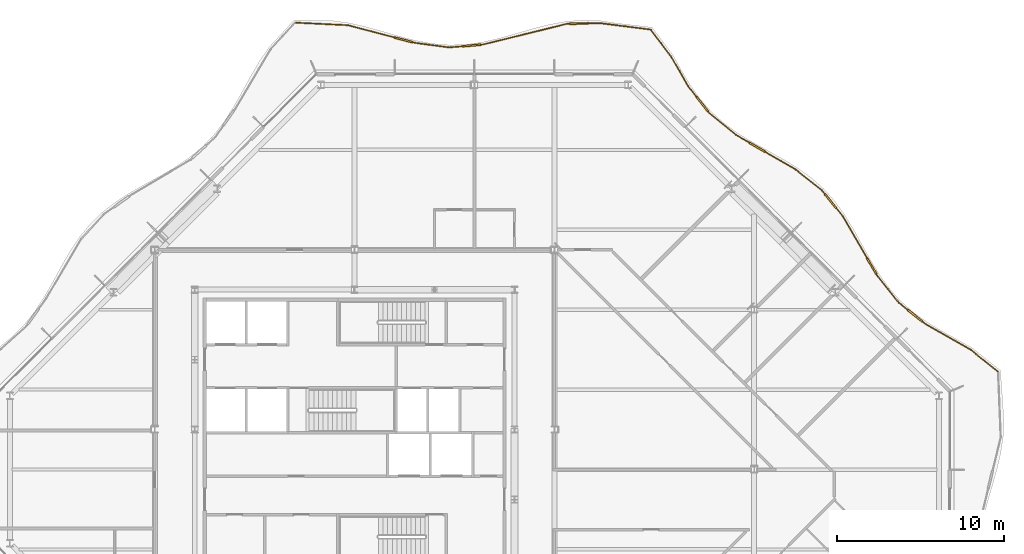
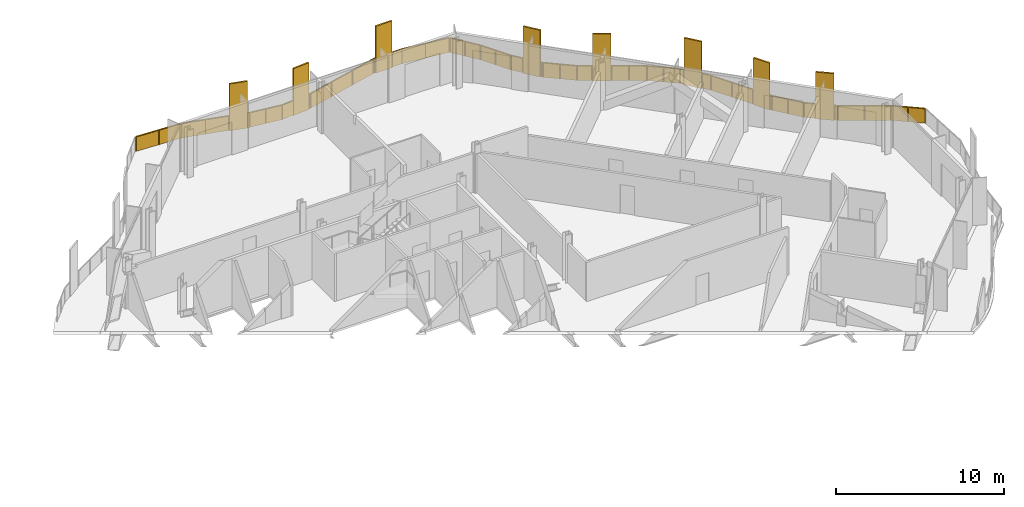
# One storey, part 17 of 17: 2 railings.
"""IFC4 building model written with IfcOpenShell, lengths in metres."""

from ifc_helpers import new_model, si_unit, direction, frame, origin, origin_2d, place, context, subcontext, project, spatial, polyline, rectangle, outline, extrude, material, type_object, element, save


model = new_model("IFC4")

# Units and contexts
model_context = context("Model", 3, precision=1e-05, world=origin(), true_north=direction((0.0, 1.0)))
body_context = subcontext(model_context, "Body", "Model", "MODEL_VIEW")
ifc_project = project(units=[si_unit("LENGTHUNIT", "METRE"), si_unit("AREAUNIT", "SQUARE_METRE"), si_unit("VOLUMEUNIT", "CUBIC_METRE"), si_unit("PLANEANGLEUNIT", "RADIAN"), si_unit("MASSUNIT", "GRAM", prefix="KILO")], contexts=[model_context])

# Site, building, storey
site_placement = place(None, origin())
site = spatial("IfcSite", under=ifc_project, at=site_placement, CompositionType="ELEMENT")
building_placement = place(site_placement, origin())
building = spatial("IfcBuilding", under=site, at=building_placement, Name="Cairn Pilgrim Tower", CompositionType="ELEMENT")
storey_placement = place(building_placement, frame((0.0, 0.0, 217.800048828125)))
storey = spatial("IfcBuildingStorey", under=building, at=storey_placement, Name="L55", CompositionType="ELEMENT", Elevation=217.800048828125)

# Railings
ifc_material = material(Name="Bronze anodised aluminium rail, posts and fin screens with laminated glass infill", Category="aluminium")
railing_type = type_object("IfcRailingType", Name="BALCONY GUARD WITH FIN SCREENS", PredefinedType="GUARDRAIL", material=ifc_material)
railing_1_placement = place(storey_placement, frame((45.8427734375, 5.88134765625, 0.0)))
element("IfcRailing", 1, at=railing_1_placement, inside=storey, type_object=railing_type, Name="Balcony guard BGF-4 with fin screens", PredefinedType="GUARDRAIL", context=body_context, shape_type="SweptSolid", body=[
    extrude(rectangle(XDim=0.050048828125, YDim=0.050048828125, at=origin_2d()), frame((0.0, 0.0, 1.0751953125), z_axis=(-0.781346220127, 0.624097816286, 0.0), x_axis=(-0.624097816286, -0.781346220127, 0.0)), (0.0, 0.0, 1.0), 2.094482421875),
    extrude(rectangle(XDim=0.050048828125, YDim=0.050048828125, at=origin_2d()), frame((-1.636474609375, 1.30712890625, 1.0751953125), z_axis=(-0.868344011313, 0.495962375606, 0.0), x_axis=(-0.495962375606, -0.868344011313, 0.0)), (0.0, 0.0, 1.0), 3.127197265625),
    extrude(rectangle(XDim=1.10009765625, YDim=0.110107421875, at=origin_2d()), frame((-4.976806640625, 3.357177734375, 0.0), z_axis=(0.0, 0.0, 1.0), x_axis=(-0.781251676118, 0.62421616333, 0.0)), (0.0, 0.0, 1.0), 3.39990234375),
    extrude(rectangle(XDim=0.050048828125, YDim=0.050048828125, at=origin_2d()), frame((-4.35205078125, 2.858154296875, 1.0751953125), z_axis=(-0.781251676118, 0.62421616333, 0.0), x_axis=(-0.62421616333, -0.781251676118, 0.0)), (0.0, 0.0, 1.0), 0.24951171875),
    extrude(rectangle(XDim=0.050048828125, YDim=0.050048828125, at=origin_2d()), frame((-5.406494140625, 3.70068359375, 1.0751953125), z_axis=(-0.781251676118, 0.62421616333, 0.0), x_axis=(-0.62421616333, -0.781251676118, 0.0)), (0.0, 0.0, 1.0), 0.70263671875),
    extrude(rectangle(XDim=0.050048828125, YDim=0.050048828125, at=origin_2d()), frame((-5.955322265625, 4.13916015625, 1.0751953125), z_axis=(-0.626348485432, 0.779543183408, 0.0), x_axis=(-0.779543183408, -0.626348485432, 0.0)), (0.0, 0.0, 1.0), 2.051025390625),
    extrude(rectangle(XDim=1.10009765625, YDim=0.110107421875, at=origin_2d()), frame((-7.591796875, 6.343505859375, 0.0), z_axis=(0.0, 0.0, 1.0), x_axis=(-0.502513380926, 0.864569431561, 0.0)), (0.0, 0.0, 1.0), 3.39990234375),
    extrude(rectangle(XDim=0.050048828125, YDim=0.050048828125, at=origin_2d()), frame((-7.239990234375, 5.738037109375, 1.0751953125), z_axis=(-0.502513380926, 0.864569431561, 0.0), x_axis=(-0.864569431561, -0.502513380926, 0.0)), (0.0, 0.0, 1.0), 0.150146484375),
    extrude(rectangle(XDim=0.050048828125, YDim=0.050048828125, at=origin_2d()), frame((-7.8681640625, 6.81884765625, 1.0751953125), z_axis=(-0.502513380926, 0.864569431561, 0.0), x_axis=(-0.864569431561, -0.502513380926, 0.0)), (0.0, 0.0, 1.0), 2.910888671875),
    extrude(rectangle(XDim=1.10009765625, YDim=0.110107421875, at=origin_2d()), frame((-10.06298828125, 10.2431640625, 0.0), z_axis=(0.0, 0.0, 1.0), x_axis=(-0.627824211501, 0.778355162797, 0.0)), (0.0, 0.0, 1.0), 3.39990234375),
    extrude(rectangle(XDim=0.050048828125, YDim=0.050048828125, at=origin_2d()), frame((-9.3310546875, 9.335693359375, 1.0751953125), z_axis=(-0.627824211501, 0.778355162797, 0.0), x_axis=(-0.778355162797, -0.627824211501, 0.0)), (0.0, 0.0, 1.0), 0.61572265625),
    extrude(rectangle(XDim=0.050048828125, YDim=0.050048828125, at=origin_2d()), frame((-10.408203125, 10.671142578125, 1.0751953125), z_axis=(-0.627824211501, 0.778355162797, 0.0), x_axis=(-0.778355162797, -0.627824211501, 0.0)), (0.0, 0.0, 1.0), 0.279052734375),
    extrude(rectangle(XDim=0.050048828125, YDim=0.050048828125, at=origin_2d()), frame((-10.58349609375, 10.888427734375, 1.0751953125), z_axis=(-0.782429083049, 0.622739696823, 0.0), x_axis=(-0.622739696823, -0.782429083049, 0.0)), (0.0, 0.0, 1.0), 1.99658203125),
    extrude(rectangle(XDim=1.10009765625, YDim=0.110107421875, at=origin_2d()), frame((-14.457275390625, 13.475341796875, 0.0), z_axis=(0.0, 0.0, 1.0), x_axis=(-0.864562899529, 0.502524619056, 0.0)), (0.0, 0.0, 1.0), 3.39990234375),
    extrude(rectangle(XDim=0.050048828125, YDim=0.050048828125, at=origin_2d()), frame((-12.145751953125, 12.1318359375, 1.0751953125), z_axis=(-0.864562899529, 0.502524619056, 0.0), x_axis=(-0.502524619056, -0.864562899529, 0.0)), (0.0, 0.0, 1.0), 2.12353515625),
    extrude(rectangle(XDim=0.050048828125, YDim=0.050048828125, at=origin_2d()), frame((-14.9326171875, 13.751708984375, 1.0751953125), z_axis=(-0.864562899529, 0.502524619056, 0.0), x_axis=(-0.502524619056, -0.864562899529, 0.0)), (0.0, 0.0, 1.0), 0.9384765625),
    extrude(rectangle(XDim=0.050048828125, YDim=0.050048828125, at=origin_2d()), frame((-15.744140625, 14.223388671875, 1.0751953125), z_axis=(-0.775414204374, 0.631452937008, 0.0), x_axis=(-0.631452937008, -0.775414204374, 0.0)), (0.0, 0.0, 1.0), 2.05029296875),
    extrude(rectangle(XDim=1.10009765625, YDim=0.110107421875, at=origin_2d()), frame((-17.767333984375, 16.06787109375, 0.0), z_axis=(0.0, 0.0, 1.0), x_axis=(-0.619007853226, 0.785384795909, 0.0)), (0.0, 0.0, 1.0), 3.39990234375),
    extrude(rectangle(XDim=0.050048828125, YDim=0.050048828125, at=origin_2d()), frame((-17.333984375, 15.51806640625, 1.0751953125), z_axis=(-0.619007853226, 0.785384795909, 0.0), x_axis=(-0.785384795909, -0.619007853226, 0.0)), (0.0, 0.0, 1.0), 0.150146484375),
    extrude(rectangle(XDim=0.050048828125, YDim=0.050048828125, at=origin_2d()), frame((-18.10791015625, 16.5, 1.0751953125), z_axis=(-0.619007853226, 0.785384795909, 0.0), x_axis=(-0.785384795909, -0.619007853226, 0.0)), (0.0, 0.0, 1.0), 0.802734375),
    extrude(rectangle(XDim=0.050048828125, YDim=0.050048828125, at=origin_2d()), frame((-18.604736328125, 17.13037109375, 1.0751953125), z_axis=(-0.499151055984, 0.866514987354, 0.0), x_axis=(-0.866514987354, -0.499151055984, 0.0)), (0.0, 0.0, 1.0), 2.083984375),
    extrude(rectangle(XDim=0.050048828125, YDim=0.050048828125, at=origin_2d()), frame((-19.64501953125, 18.936279296875, 1.0751953125), z_axis=(-0.603569235365, 0.79731059075, 0.0), x_axis=(-0.79731059075, -0.603569235365, 0.0)), (0.0, 0.0, 1.0), 1.955810546875),
    extrude(rectangle(XDim=0.050048828125, YDim=0.050048828125, at=origin_2d()), origin(), (0.0, 0.0, 1.0), 1.050048828125),
    extrude(rectangle(XDim=0.050048828125, YDim=0.050048828125, at=origin_2d()), frame((-0.818359375, 0.653564453125, 0.0)), (0.0, 0.0, 1.0), 1.050048828125),
    extrude(rectangle(XDim=0.050048828125, YDim=0.050048828125, at=origin_2d()), frame((-1.636474609375, 1.30712890625, 0.0)), (0.0, 0.0, 1.0), 1.050048828125),
    extrude(rectangle(XDim=0.050048828125, YDim=0.050048828125, at=origin_2d()), frame((-2.994140625, 2.08251953125, 0.0)), (0.0, 0.0, 1.0), 1.050048828125),
    extrude(rectangle(XDim=0.050048828125, YDim=0.050048828125, at=origin_2d()), frame((-4.35205078125, 2.858154296875, 0.0)), (0.0, 0.0, 1.0), 1.050048828125),
    extrude(rectangle(XDim=0.050048828125, YDim=0.050048828125, at=origin_2d()), frame((-4.527587890625, 2.998291015625, 0.0)), (0.0, 0.0, 1.0), 1.050048828125),
    extrude(rectangle(XDim=0.050048828125, YDim=0.050048828125, at=origin_2d()), frame((-5.426025390625, 3.71630859375, 0.0)), (0.0, 0.0, 1.0), 1.050048828125),
    extrude(rectangle(XDim=0.050048828125, YDim=0.050048828125, at=origin_2d()), frame((-5.955322265625, 4.13916015625, 0.0)), (0.0, 0.0, 1.0), 1.050048828125),
    extrude(rectangle(XDim=0.050048828125, YDim=0.050048828125, at=origin_2d()), frame((-6.59765625, 4.9384765625, 0.0)), (0.0, 0.0, 1.0), 1.050048828125),
    extrude(rectangle(XDim=0.050048828125, YDim=0.050048828125, at=origin_2d()), frame((-7.239990234375, 5.738037109375, 0.0)), (0.0, 0.0, 1.0), 1.050048828125),
    extrude(rectangle(XDim=0.050048828125, YDim=0.050048828125, at=origin_2d()), frame((-7.302978515625, 5.84619140625, 0.0)), (0.0, 0.0, 1.0), 1.050048828125),
    extrude(rectangle(XDim=0.050048828125, YDim=0.050048828125, at=origin_2d()), frame((-7.880859375, 6.840576171875, 0.0)), (0.0, 0.0, 1.0), 1.050048828125),
    extrude(rectangle(XDim=0.050048828125, YDim=0.050048828125, at=origin_2d()), frame((-8.60595703125, 8.088134765625, 0.0)), (0.0, 0.0, 1.0), 1.050048828125),
    extrude(rectangle(XDim=0.050048828125, YDim=0.050048828125, at=origin_2d()), frame((-9.3310546875, 9.335693359375, 0.0)), (0.0, 0.0, 1.0), 1.050048828125),
    extrude(rectangle(XDim=0.050048828125, YDim=0.050048828125, at=origin_2d()), frame((-9.701904296875, 9.79541015625, 0.0)), (0.0, 0.0, 1.0), 1.050048828125),
    extrude(rectangle(XDim=0.050048828125, YDim=0.050048828125, at=origin_2d()), frame((-10.423828125, 10.690673828125, 0.0)), (0.0, 0.0, 1.0), 1.050048828125),
    extrude(rectangle(XDim=0.050048828125, YDim=0.050048828125, at=origin_2d()), frame((-10.58349609375, 10.888427734375, 0.0)), (0.0, 0.0, 1.0), 1.050048828125),
    extrude(rectangle(XDim=0.050048828125, YDim=0.050048828125, at=origin_2d()), frame((-11.36474609375, 11.51025390625, 0.0)), (0.0, 0.0, 1.0), 1.050048828125),
    extrude(rectangle(XDim=0.050048828125, YDim=0.050048828125, at=origin_2d()), frame((-12.145751953125, 12.1318359375, 0.0)), (0.0, 0.0, 1.0), 1.050048828125),
    extrude(rectangle(XDim=0.050048828125, YDim=0.050048828125, at=origin_2d()), frame((-13.052978515625, 12.6591796875, 0.0)), (0.0, 0.0, 1.0), 1.050048828125),
    extrude(rectangle(XDim=0.050048828125, YDim=0.050048828125, at=origin_2d()), frame((-13.9599609375, 13.1865234375, 0.0)), (0.0, 0.0, 1.0), 1.050048828125),
    extrude(rectangle(XDim=0.050048828125, YDim=0.050048828125, at=origin_2d()), frame((-14.954345703125, 13.764404296875, 0.0)), (0.0, 0.0, 1.0), 1.050048828125),
    extrude(rectangle(XDim=0.050048828125, YDim=0.050048828125, at=origin_2d()), frame((-15.744140625, 14.223388671875, 0.0)), (0.0, 0.0, 1.0), 1.050048828125),
    extrude(rectangle(XDim=0.050048828125, YDim=0.050048828125, at=origin_2d()), frame((-16.5390625, 14.87060546875, 0.0)), (0.0, 0.0, 1.0), 1.050048828125),
    extrude(rectangle(XDim=0.050048828125, YDim=0.050048828125, at=origin_2d()), frame((-17.333984375, 15.51806640625, 0.0)), (0.0, 0.0, 1.0), 1.050048828125),
    extrude(rectangle(XDim=0.050048828125, YDim=0.050048828125, at=origin_2d()), frame((-17.411376953125, 15.616455078125, 0.0)), (0.0, 0.0, 1.0), 1.050048828125),
    extrude(rectangle(XDim=0.050048828125, YDim=0.050048828125, at=origin_2d()), frame((-18.123291015625, 16.51953125, 0.0)), (0.0, 0.0, 1.0), 1.050048828125),
    extrude(rectangle(XDim=0.050048828125, YDim=0.050048828125, at=origin_2d()), frame((-18.604736328125, 17.13037109375, 0.0)), (0.0, 0.0, 1.0), 1.050048828125),
    extrude(rectangle(XDim=0.050048828125, YDim=0.050048828125, at=origin_2d()), frame((-19.125, 18.033203125, 0.0)), (0.0, 0.0, 1.0), 1.050048828125),
    extrude(rectangle(XDim=0.050048828125, YDim=0.050048828125, at=origin_2d()), frame((-19.64501953125, 18.936279296875, 0.0)), (0.0, 0.0, 1.0), 1.050048828125),
    extrude(rectangle(XDim=0.050048828125, YDim=0.050048828125, at=origin_2d()), frame((-20.2353515625, 19.7158203125, 0.0)), (0.0, 0.0, 1.0), 1.050048828125),
    extrude(rectangle(XDim=0.050048828125, YDim=0.050048828125, at=origin_2d()), frame((-20.825439453125, 20.49560546875, 0.0)), (0.0, 0.0, 1.0), 1.050048828125),
    extrude(outline(polyline([(0.02490234375, 0.0), (1.022216796875, 0.0), (1.022216796875, 1.050048828125), (0.02490234375, 1.050048828125), (0.02490234375, 0.0)])), frame((-0.003662109375, -0.004638671875, 0.0), z_axis=(0.624097816286, 0.781346220127, 0.0), x_axis=(-0.781346220127, 0.624097816286, 0.0)), (0.0, 0.0, 1.0), 0.011962890625),
    extrude(outline(polyline([(0.02490234375, 0.0), (1.022216796875, 0.0), (1.022216796875, 1.050048828125), (0.02490234375, 1.050048828125), (0.02490234375, 0.0)])), frame((-0.822021484375, 0.64892578125, 0.0), z_axis=(0.624097816286, 0.781346220127, 0.0), x_axis=(-0.781346220127, 0.624097816286, 0.0)), (0.0, 0.0, 1.0), 0.011962890625),
    extrude(outline(polyline([(0.02490234375, 0.0), (1.53857421875, 0.0), (1.53857421875, 1.050048828125), (0.02490234375, 1.050048828125), (0.02490234375, 0.0)])), frame((-1.639404296875, 1.302001953125, 0.0), z_axis=(0.495962375606, 0.868344011313, 0.0), x_axis=(-0.868344011313, 0.495962375606, 0.0)), (0.0, 0.0, 1.0), 0.011962890625),
    extrude(outline(polyline([(0.02490234375, 0.0), (1.53857421875, 0.0), (1.53857421875, 1.050048828125), (0.02490234375, 1.050048828125), (0.02490234375, 0.0)])), frame((-2.997314453125, 2.077392578125, 0.0), z_axis=(0.495962375606, 0.868344011313, 0.0), x_axis=(-0.868344011313, 0.495962375606, 0.0)), (0.0, 0.0, 1.0), 0.011962890625),
    extrude(outline(polyline([(0.02490234375, 0.0), (0.199462890625, 0.0), (0.199462890625, 1.050048828125), (0.02490234375, 1.050048828125), (0.02490234375, 0.0)])), frame((-4.355712890625, 2.853515625, 0.0), z_axis=(0.62421616333, 0.781251676118, 0.0), x_axis=(-0.781251676118, 0.62421616333, 0.0)), (0.0, 0.0, 1.0), 0.011962890625),
    extrude(outline(polyline([(0.02490234375, 0.0), (0.652587890625, 0.0), (0.652587890625, 1.050048828125), (0.02490234375, 1.050048828125), (0.02490234375, 0.0)])), frame((-5.4296875, 3.71142578125, 0.0), z_axis=(0.62421616333, 0.781251676118, 0.0), x_axis=(-0.781251676118, 0.62421616333, 0.0)), (0.0, 0.0, 1.0), 0.011962890625),
    extrude(outline(polyline([(0.02490234375, 0.0), (1.00048828125, 0.0), (1.00048828125, 1.050048828125), (0.02490234375, 1.050048828125), (0.02490234375, 0.0)])), frame((-5.9599609375, 4.135498046875, 0.0), z_axis=(0.779543183408, 0.626348485432, 0.0), x_axis=(-0.626348485432, 0.779543183408, 0.0)), (0.0, 0.0, 1.0), 0.011962890625),
    extrude(outline(polyline([(0.02490234375, 0.0), (1.00048828125, 0.0), (1.00048828125, 1.050048828125), (0.02490234375, 1.050048828125), (0.02490234375, 0.0)])), frame((-6.602294921875, 4.934814453125, 0.0), z_axis=(0.779543183408, 0.626348485432, 0.0), x_axis=(-0.626348485432, 0.779543183408, 0.0)), (0.0, 0.0, 1.0), 0.011962890625),
    extrude(outline(polyline([(0.02490234375, 0.0), (0.10009765625, 0.0), (0.10009765625, 1.050048828125), (0.02490234375, 1.050048828125), (0.02490234375, 0.0)])), frame((-7.2451171875, 5.735107421875, 0.0), z_axis=(0.864569431561, 0.502513380926, 0.0), x_axis=(-0.502513380926, 0.864569431561, 0.0)), (0.0, 0.0, 1.0), 0.011962890625),
    extrude(outline(polyline([(0.02490234375, 0.0), (1.41796875, 0.0), (1.41796875, 1.050048828125), (0.02490234375, 1.050048828125), (0.02490234375, 0.0)])), frame((-7.885986328125, 6.837646484375, 0.0), z_axis=(0.864569431561, 0.502513380926, 0.0), x_axis=(-0.502513380926, 0.864569431561, 0.0)), (0.0, 0.0, 1.0), 0.011962890625),
    extrude(outline(polyline([(0.02490234375, 0.0), (1.41796875, 0.0), (1.41796875, 1.050048828125), (0.02490234375, 1.050048828125), (0.02490234375, 0.0)])), frame((-8.611083984375, 8.085205078125, 0.0), z_axis=(0.864569431561, 0.502513380926, 0.0), x_axis=(-0.502513380926, 0.864569431561, 0.0)), (0.0, 0.0, 1.0), 0.011962890625),
    extrude(outline(polyline([(0.02490234375, 0.0), (0.565673828125, 0.0), (0.565673828125, 1.050048828125), (0.02490234375, 1.050048828125), (0.02490234375, 0.0)])), frame((-9.335693359375, 9.33203125, 0.0), z_axis=(0.778355162797, 0.627824211501, 0.0), x_axis=(-0.627824211501, 0.778355162797, 0.0)), (0.0, 0.0, 1.0), 0.011962890625),
    extrude(outline(polyline([(0.02490234375, 0.0), (0.22900390625, 0.0), (0.22900390625, 1.050048828125), (0.02490234375, 1.050048828125), (0.02490234375, 0.0)])), frame((-10.4287109375, 10.686767578125, 0.0), z_axis=(0.778355162797, 0.627824211501, 0.0), x_axis=(-0.627824211501, 0.778355162797, 0.0)), (0.0, 0.0, 1.0), 0.011962890625),
    extrude(outline(polyline([(0.02490234375, 0.0), (0.973388671875, 0.0), (0.973388671875, 1.050048828125), (0.02490234375, 1.050048828125), (0.02490234375, 0.0)])), frame((-10.587158203125, 10.8837890625, 0.0), z_axis=(0.622739696823, 0.782429083049, 0.0), x_axis=(-0.782429083049, 0.622739696823, 0.0)), (0.0, 0.0, 1.0), 0.011962890625),
    extrude(outline(polyline([(0.02490234375, 0.0), (0.973388671875, 0.0), (0.973388671875, 1.050048828125), (0.02490234375, 1.050048828125), (0.02490234375, 0.0)])), frame((-11.368408203125, 11.50537109375, 0.0), z_axis=(0.622739696823, 0.782429083049, 0.0), x_axis=(-0.782429083049, 0.622739696823, 0.0)), (0.0, 0.0, 1.0), 0.011962890625),
    extrude(outline(polyline([(0.02490234375, 0.0), (1.024169921875, 0.0), (1.024169921875, 1.050048828125), (0.02490234375, 1.050048828125), (0.02490234375, 0.0)])), frame((-12.148681640625, 12.126708984375, 0.0), z_axis=(0.502524619056, 0.864562899529, 0.0), x_axis=(-0.864562899529, 0.502524619056, 0.0)), (0.0, 0.0, 1.0), 0.011962890625),
    extrude(outline(polyline([(0.02490234375, 0.0), (1.024169921875, 0.0), (1.024169921875, 1.050048828125), (0.02490234375, 1.050048828125), (0.02490234375, 0.0)])), frame((-13.055908203125, 12.654052734375, 0.0), z_axis=(0.502524619056, 0.864562899529, 0.0), x_axis=(-0.864562899529, 0.502524619056, 0.0)), (0.0, 0.0, 1.0), 0.011962890625),
    extrude(outline(polyline([(0.02490234375, 0.0), (0.888427734375, 0.0), (0.888427734375, 1.050048828125), (0.02490234375, 1.050048828125), (0.02490234375, 0.0)])), frame((-14.957275390625, 13.75927734375, 0.0), z_axis=(0.502524619056, 0.864562899529, 0.0), x_axis=(-0.864562899529, 0.502524619056, 0.0)), (0.0, 0.0, 1.0), 0.011962890625),
    extrude(outline(polyline([(0.02490234375, 0.0), (1.000244140625, 0.0), (1.000244140625, 1.050048828125), (0.02490234375, 1.050048828125), (0.02490234375, 0.0)])), frame((-15.747802734375, 14.21875, 0.0), z_axis=(0.631452937008, 0.775414204374, 0.0), x_axis=(-0.775414204374, 0.631452937008, 0.0)), (0.0, 0.0, 1.0), 0.011962890625),
    extrude(outline(polyline([(0.02490234375, 0.0), (1.000244140625, 0.0), (1.000244140625, 1.050048828125), (0.02490234375, 1.050048828125), (0.02490234375, 0.0)])), frame((-16.542724609375, 14.8662109375, 0.0), z_axis=(0.631452937008, 0.775414204374, 0.0), x_axis=(-0.775414204374, 0.631452937008, 0.0)), (0.0, 0.0, 1.0), 0.011962890625),
    extrude(outline(polyline([(0.02490234375, 0.0), (0.10009765625, 0.0), (0.10009765625, 1.050048828125), (0.02490234375, 1.050048828125), (0.02490234375, 0.0)])), frame((-17.338623046875, 15.514404296875, 0.0), z_axis=(0.785384795909, 0.619007853226, 0.0), x_axis=(-0.619007853226, 0.785384795909, 0.0)), (0.0, 0.0, 1.0), 0.011962890625),
    extrude(outline(polyline([(0.02490234375, 0.0), (0.752685546875, 0.0), (0.752685546875, 1.050048828125), (0.02490234375, 1.050048828125), (0.02490234375, 0.0)])), frame((-18.1279296875, 16.515869140625, 0.0), z_axis=(0.785384795909, 0.619007853226, 0.0), x_axis=(-0.619007853226, 0.785384795909, 0.0)), (0.0, 0.0, 1.0), 0.011962890625),
    extrude(outline(polyline([(0.02490234375, 0.0), (1.01708984375, 0.0), (1.01708984375, 1.050048828125), (0.02490234375, 1.050048828125), (0.02490234375, 0.0)])), frame((-18.60986328125, 17.12744140625, 0.0), z_axis=(0.866514987354, 0.499151055984, 0.0), x_axis=(-0.499151055984, 0.866514987354, 0.0)), (0.0, 0.0, 1.0), 0.011962890625),
    extrude(outline(polyline([(0.02490234375, 0.0), (1.01708984375, 0.0), (1.01708984375, 1.050048828125), (0.02490234375, 1.050048828125), (0.02490234375, 0.0)])), frame((-19.130126953125, 18.0302734375, 0.0), z_axis=(0.866514987354, 0.499151055984, 0.0), x_axis=(-0.499151055984, 0.866514987354, 0.0)), (0.0, 0.0, 1.0), 0.011962890625),
    extrude(outline(polyline([(0.02490234375, 0.0), (0.952880859375, 0.0), (0.952880859375, 1.050048828125), (0.02490234375, 1.050048828125), (0.02490234375, 0.0)])), frame((-19.64990234375, 18.9326171875, 0.0), z_axis=(0.79731059075, 0.603569235365, 0.0), x_axis=(-0.603569235365, 0.79731059075, 0.0)), (0.0, 0.0, 1.0), 0.011962890625),
    extrude(outline(polyline([(0.02490234375, 0.0), (0.952880859375, 0.0), (0.952880859375, 1.050048828125), (0.02490234375, 1.050048828125), (0.02490234375, 0.0)])), frame((-20.239990234375, 19.71240234375, 0.0), z_axis=(0.79731059075, 0.603569235365, 0.0), x_axis=(-0.603569235365, 0.79731059075, 0.0)), (0.0, 0.0, 1.0), 0.011962890625),
])
railing_2_placement = place(storey_placement, frame((24.981201171875, 26.424560546875, 0.0)))
element("IfcRailing", 2, at=railing_2_placement, inside=storey, type_object=railing_type, Name="Balcony guard BGF-5 with fin screens", PredefinedType="GUARDRAIL", context=body_context, shape_type="SweptSolid", body=[
    extrude(rectangle(XDim=0.050048828125, YDim=0.050048828125, at=origin_2d()), frame((0.0, 0.0, 1.0751953125), z_axis=(-0.992062270108, 0.125747573447, 0.0), x_axis=(-0.125747573447, -0.992062270108, 0.0)), (0.0, 0.0, 1.0), 3.03466796875),
    extrude(rectangle(XDim=1.10009765625, YDim=0.110107421875, at=origin_2d()), frame((-4.303955078125, 0.361572265625, 0.0), z_axis=(0.0, 0.0, 1.0), x_axis=(-0.999880952259, -0.015429883648, 0.0)), (0.0, 0.0, 1.0), 3.39990234375),
    extrude(rectangle(XDim=0.050048828125, YDim=0.050048828125, at=origin_2d()), frame((-3.010498046875, 0.381591796875, 1.0751953125), z_axis=(-0.999880952259, -0.015429883648, 0.0), x_axis=(0.015429883648, -0.999880952259, 0.0)), (0.0, 0.0, 1.0), 0.74365234375),
    extrude(rectangle(XDim=0.050048828125, YDim=0.050048828125, at=origin_2d()), frame((-4.85400390625, 0.35302734375, 1.0751953125), z_axis=(-0.999880952259, -0.015429883648, 0.0), x_axis=(0.015429883648, -0.999880952259, 0.0)), (0.0, 0.0, 1.0), 0.14990234375),
    extrude(rectangle(XDim=0.050048828125, YDim=0.050048828125, at=origin_2d()), frame((-5.00390625, 0.350830078125, 1.0751953125), z_axis=(-0.970938361719, -0.239329684208, 0.0), x_axis=(0.239329684208, -0.970938361719, 0.0)), (0.0, 0.0, 1.0), 5.198486328125),
    extrude(rectangle(XDim=1.10009765625, YDim=0.110107421875, at=origin_2d()), frame((-10.74853515625, -0.954345703125, 0.0), z_axis=(0.0, 0.0, 1.0), x_axis=(-0.996197710337, -0.087121305777, 0.0)), (0.0, 0.0, 1.0), 3.39990234375),
    extrude(rectangle(XDim=0.050048828125, YDim=0.050048828125, at=origin_2d()), frame((-10.05126953125, -0.893310546875, 1.0751953125), z_axis=(-0.996197710337, -0.087121305777, 0.0), x_axis=(0.087121305777, -0.996197710337, 0.0)), (0.0, 0.0, 1.0), 0.150146484375),
    extrude(rectangle(XDim=0.050048828125, YDim=0.050048828125, at=origin_2d()), frame((-11.296630859375, -1.002197265625, 1.0751953125), z_axis=(-0.996197710337, -0.087121305777, 0.0), x_axis=(0.087121305777, -0.996197710337, 0.0)), (0.0, 0.0, 1.0), 0.806884765625),
    extrude(rectangle(XDim=0.050048828125, YDim=0.050048828125, at=origin_2d()), frame((-12.100341796875, -1.072509765625, 1.0751953125), z_axis=(-0.991225835439, 0.132179208495, 0.0), x_axis=(-0.132179208495, -0.991225835439, 0.0)), (0.0, 0.0, 1.0), 2.06494140625),
    extrude(rectangle(XDim=1.10009765625, YDim=0.110107421875, at=origin_2d()), frame((-14.83984375, -0.6171875, 0.0), z_axis=(0.0, 0.0, 1.0), x_axis=(-0.967063927609, 0.254533612548, 0.0)), (0.0, 0.0, 1.0), 3.39990234375),
    extrude(rectangle(XDim=0.050048828125, YDim=0.050048828125, at=origin_2d()), frame((-14.147216796875, -0.799560546875, 1.0751953125), z_axis=(-0.967063927609, 0.254533612548, 0.0), x_axis=(-0.254533612548, -0.967063927609, 0.0)), (0.0, 0.0, 1.0), 0.166259765625),
    extrude(rectangle(XDim=0.050048828125, YDim=0.050048828125, at=origin_2d()), frame((-15.371826171875, -0.477294921875, 1.0751953125), z_axis=(-0.967063927609, 0.254533612548, 0.0), x_axis=(-0.254533612548, -0.967063927609, 0.0)), (0.0, 0.0, 1.0), 2.906982421875),
    extrude(rectangle(XDim=0.050048828125, YDim=0.050048828125, at=origin_2d()), frame((-18.18310546875, 0.2626953125, 1.0751953125), z_axis=(-0.998825783001, 0.048446415897, 0.0), x_axis=(-0.048446415897, -0.998825783001, 0.0)), (0.0, 0.0, 1.0), 3.119384765625),
    extrude(rectangle(XDim=0.050048828125, YDim=0.050048828125, at=origin_2d()), origin(), (0.0, 0.0, 1.0), 1.050048828125),
    extrude(rectangle(XDim=0.050048828125, YDim=0.050048828125, at=origin_2d()), frame((-1.50537109375, 0.190673828125, 0.0)), (0.0, 0.0, 1.0), 1.050048828125),
    extrude(rectangle(XDim=0.050048828125, YDim=0.050048828125, at=origin_2d()), frame((-3.010498046875, 0.381591796875, 0.0)), (0.0, 0.0, 1.0), 1.050048828125),
    extrude(rectangle(XDim=0.050048828125, YDim=0.050048828125, at=origin_2d()), frame((-3.72900390625, 0.37060546875, 0.0)), (0.0, 0.0, 1.0), 1.050048828125),
    extrude(rectangle(XDim=0.050048828125, YDim=0.050048828125, at=origin_2d()), frame((-4.87890625, 0.352783203125, 0.0)), (0.0, 0.0, 1.0), 1.050048828125),
    extrude(rectangle(XDim=0.050048828125, YDim=0.050048828125, at=origin_2d()), frame((-5.00390625, 0.350830078125, 0.0)), (0.0, 0.0, 1.0), 1.050048828125),
    extrude(rectangle(XDim=0.050048828125, YDim=0.050048828125, at=origin_2d()), frame((-6.686279296875, -0.06396484375, 0.0)), (0.0, 0.0, 1.0), 1.050048828125),
    extrude(rectangle(XDim=0.050048828125, YDim=0.050048828125, at=origin_2d()), frame((-8.368896484375, -0.478515625, 0.0)), (0.0, 0.0, 1.0), 1.050048828125),
    extrude(rectangle(XDim=0.050048828125, YDim=0.050048828125, at=origin_2d()), frame((-10.05126953125, -0.893310546875, 0.0)), (0.0, 0.0, 1.0), 1.050048828125),
    extrude(rectangle(XDim=0.050048828125, YDim=0.050048828125, at=origin_2d()), frame((-10.17578125, -0.904296875, 0.0)), (0.0, 0.0, 1.0), 1.050048828125),
    extrude(rectangle(XDim=0.050048828125, YDim=0.050048828125, at=origin_2d()), frame((-11.321533203125, -1.00439453125, 0.0)), (0.0, 0.0, 1.0), 1.050048828125),
    extrude(rectangle(XDim=0.050048828125, YDim=0.050048828125, at=origin_2d()), frame((-12.100341796875, -1.072509765625, 0.0)), (0.0, 0.0, 1.0), 1.050048828125),
    extrude(rectangle(XDim=0.050048828125, YDim=0.050048828125, at=origin_2d()), frame((-13.123779296875, -0.93603515625, 0.0)), (0.0, 0.0, 1.0), 1.050048828125),
    extrude(rectangle(XDim=0.050048828125, YDim=0.050048828125, at=origin_2d()), frame((-14.147216796875, -0.799560546875, 0.0)), (0.0, 0.0, 1.0), 1.050048828125),
    extrude(rectangle(XDim=0.050048828125, YDim=0.050048828125, at=origin_2d()), frame((-14.28369140625, -0.763671875, 0.0)), (0.0, 0.0, 1.0), 1.050048828125),
    extrude(rectangle(XDim=0.050048828125, YDim=0.050048828125, at=origin_2d()), frame((-15.39599609375, -0.470947265625, 0.0)), (0.0, 0.0, 1.0), 1.050048828125),
    extrude(rectangle(XDim=0.050048828125, YDim=0.050048828125, at=origin_2d()), frame((-16.78955078125, -0.10400390625, 0.0)), (0.0, 0.0, 1.0), 1.050048828125),
    extrude(rectangle(XDim=0.050048828125, YDim=0.050048828125, at=origin_2d()), frame((-18.18310546875, 0.2626953125, 0.0)), (0.0, 0.0, 1.0), 1.050048828125),
    extrude(rectangle(XDim=0.050048828125, YDim=0.050048828125, at=origin_2d()), frame((-19.740966796875, 0.33837890625, 0.0)), (0.0, 0.0, 1.0), 1.050048828125),
    extrude(rectangle(XDim=0.050048828125, YDim=0.050048828125, at=origin_2d()), frame((-21.298828125, 0.413818359375, 0.0)), (0.0, 0.0, 1.0), 1.050048828125),
    extrude(outline(polyline([(0.02490234375, 0.0), (1.4921875, 0.0), (1.4921875, 1.050048828125), (0.02490234375, 1.050048828125), (0.02490234375, 0.0)])), frame((-0.000732421875, -0.005859375, 0.0), z_axis=(0.125747573447, 0.992062270108, 0.0), x_axis=(-0.992062270108, 0.125747573447, 0.0)), (0.0, 0.0, 1.0), 0.011962890625),
    extrude(outline(polyline([(0.02490234375, 0.0), (1.4921875, 0.0), (1.4921875, 1.050048828125), (0.02490234375, 1.050048828125), (0.02490234375, 0.0)])), frame((-1.506103515625, 0.184814453125, 0.0), z_axis=(0.125747573447, 0.992062270108, 0.0), x_axis=(-0.992062270108, 0.125747573447, 0.0)), (0.0, 0.0, 1.0), 0.011962890625),
    extrude(outline(polyline([(0.02490234375, 0.0), (0.693603515625, 0.0), (0.693603515625, 1.050048828125), (0.02490234375, 1.050048828125), (0.02490234375, 0.0)])), frame((-3.010498046875, 0.375732421875, 0.0), z_axis=(-0.015429883648, 0.999880952259, 0.0), x_axis=(-0.999880952259, -0.015429883648, 0.0)), (0.0, 0.0, 1.0), 0.011962890625),
    extrude(outline(polyline([(0.02490234375, 0.0), (0.099853515625, 0.0), (0.099853515625, 1.050048828125), (0.02490234375, 1.050048828125), (0.02490234375, 0.0)])), frame((-4.87890625, 0.3466796875, 0.0), z_axis=(-0.015429883648, 0.999880952259, 0.0), x_axis=(-0.999880952259, -0.015429883648, 0.0)), (0.0, 0.0, 1.0), 0.011962890625),
    extrude(outline(polyline([(0.02490234375, 0.0), (1.707763671875, 0.0), (1.707763671875, 1.050048828125), (0.02490234375, 1.050048828125), (0.02490234375, 0.0)])), frame((-5.00244140625, 0.344970703125, 0.0), z_axis=(-0.239329684208, 0.970938361719, 0.0), x_axis=(-0.970938361719, -0.239329684208, 0.0)), (0.0, 0.0, 1.0), 0.011962890625),
    extrude(outline(polyline([(0.02490234375, 0.0), (1.707763671875, 0.0), (1.707763671875, 1.050048828125), (0.02490234375, 1.050048828125), (0.02490234375, 0.0)])), frame((-6.684814453125, -0.069580078125, 0.0), z_axis=(-0.239329684208, 0.970938361719, 0.0), x_axis=(-0.970938361719, -0.239329684208, 0.0)), (0.0, 0.0, 1.0), 0.011962890625),
    extrude(outline(polyline([(0.02490234375, 0.0), (1.707763671875, 0.0), (1.707763671875, 1.050048828125), (0.02490234375, 1.050048828125), (0.02490234375, 0.0)])), frame((-8.367431640625, -0.484375, 0.0), z_axis=(-0.239329684208, 0.970938361719, 0.0), x_axis=(-0.970938361719, -0.239329684208, 0.0)), (0.0, 0.0, 1.0), 0.011962890625),
    extrude(outline(polyline([(0.02490234375, 0.0), (0.10009765625, 0.0), (0.10009765625, 1.050048828125), (0.02490234375, 1.050048828125), (0.02490234375, 0.0)])), frame((-10.05078125, -0.899169921875, 0.0), z_axis=(-0.087121305777, 0.996197710337, 0.0), x_axis=(-0.996197710337, -0.087121305777, 0.0)), (0.0, 0.0, 1.0), 0.011962890625),
    extrude(outline(polyline([(0.02490234375, 0.0), (0.7568359375, 0.0), (0.7568359375, 1.050048828125), (0.02490234375, 1.050048828125), (0.02490234375, 0.0)])), frame((-11.321044921875, -1.01025390625, 0.0), z_axis=(-0.087121305777, 0.996197710337, 0.0), x_axis=(-0.996197710337, -0.087121305777, 0.0)), (0.0, 0.0, 1.0), 0.011962890625),
    extrude(outline(polyline([(0.02490234375, 0.0), (1.007568359375, 0.0), (1.007568359375, 1.050048828125), (0.02490234375, 1.050048828125), (0.02490234375, 0.0)])), frame((-12.10107421875, -1.078369140625, 0.0), z_axis=(0.132179208495, 0.991225835439, 0.0), x_axis=(-0.991225835439, 0.132179208495, 0.0)), (0.0, 0.0, 1.0), 0.011962890625),
    extrude(outline(polyline([(0.02490234375, 0.0), (1.007568359375, 0.0), (1.007568359375, 1.050048828125), (0.02490234375, 1.050048828125), (0.02490234375, 0.0)])), frame((-13.12451171875, -0.94189453125, 0.0), z_axis=(0.132179208495, 0.991225835439, 0.0), x_axis=(-0.991225835439, 0.132179208495, 0.0)), (0.0, 0.0, 1.0), 0.011962890625),
    extrude(outline(polyline([(0.02490234375, 0.0), (0.1162109375, 0.0), (0.1162109375, 1.050048828125), (0.02490234375, 1.050048828125), (0.02490234375, 0.0)])), frame((-14.148681640625, -0.805419921875, 0.0), z_axis=(0.254533612548, 0.967063927609, 0.0), x_axis=(-0.967063927609, 0.254533612548, 0.0)), (0.0, 0.0, 1.0), 0.011962890625),
    extrude(outline(polyline([(0.02490234375, 0.0), (1.416015625, 0.0), (1.416015625, 1.050048828125), (0.02490234375, 1.050048828125), (0.02490234375, 0.0)])), frame((-15.3974609375, -0.4765625, 0.0), z_axis=(0.254533612548, 0.967063927609, 0.0), x_axis=(-0.967063927609, 0.254533612548, 0.0)), (0.0, 0.0, 1.0), 0.011962890625),
    extrude(outline(polyline([(0.02490234375, 0.0), (1.416015625, 0.0), (1.416015625, 1.050048828125), (0.02490234375, 1.050048828125), (0.02490234375, 0.0)])), frame((-16.791015625, -0.10986328125, 0.0), z_axis=(0.254533612548, 0.967063927609, 0.0), x_axis=(-0.967063927609, 0.254533612548, 0.0)), (0.0, 0.0, 1.0), 0.011962890625),
    extrude(outline(polyline([(0.02490234375, 0.0), (1.53466796875, 0.0), (1.53466796875, 1.050048828125), (0.02490234375, 1.050048828125), (0.02490234375, 0.0)])), frame((-18.183349609375, 0.2568359375, 0.0), z_axis=(0.048446415897, 0.998825783001, 0.0), x_axis=(-0.998825783001, 0.048446415897, 0.0)), (0.0, 0.0, 1.0), 0.011962890625),
    extrude(outline(polyline([(0.02490234375, 0.0), (1.53466796875, 0.0), (1.53466796875, 1.050048828125), (0.02490234375, 1.050048828125), (0.02490234375, 0.0)])), frame((-19.7412109375, 0.332275390625, 0.0), z_axis=(0.048446415897, 0.998825783001, 0.0), x_axis=(-0.998825783001, 0.048446415897, 0.0)), (0.0, 0.0, 1.0), 0.011962890625),
])

save(model, "model.ifc")
